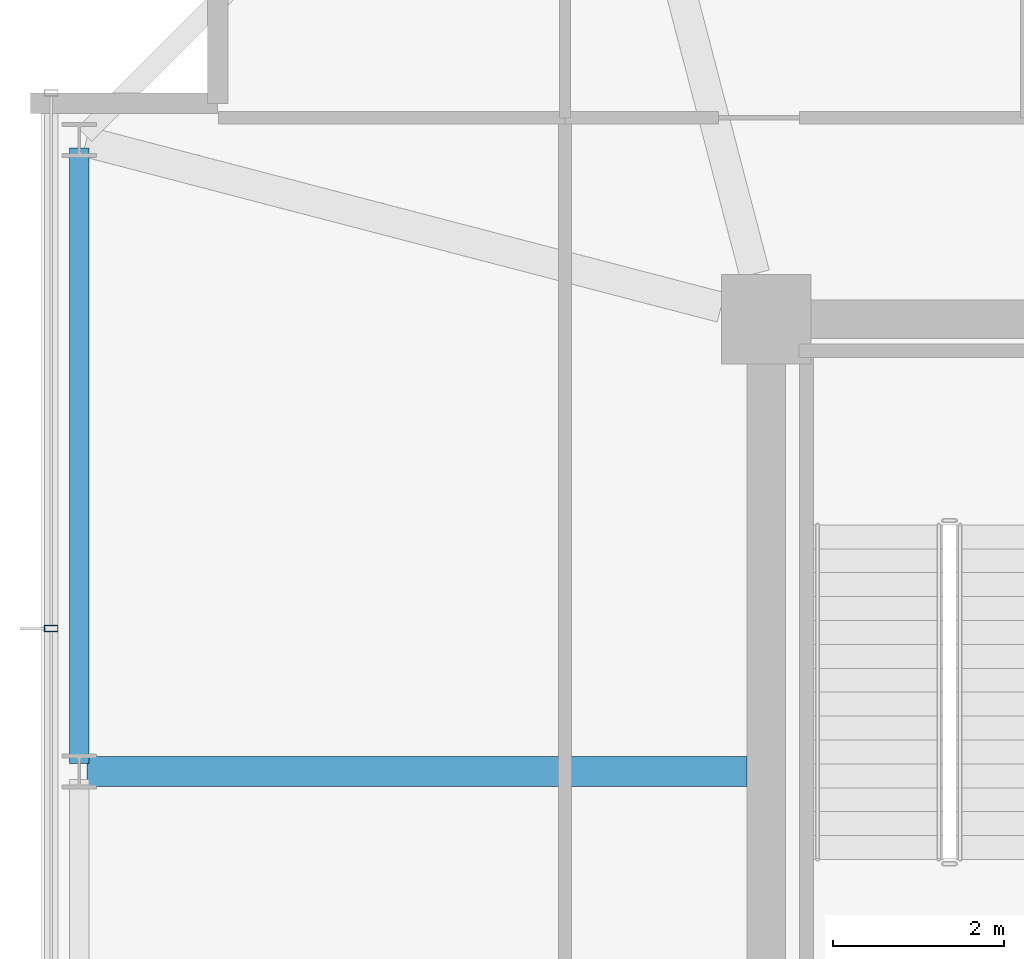
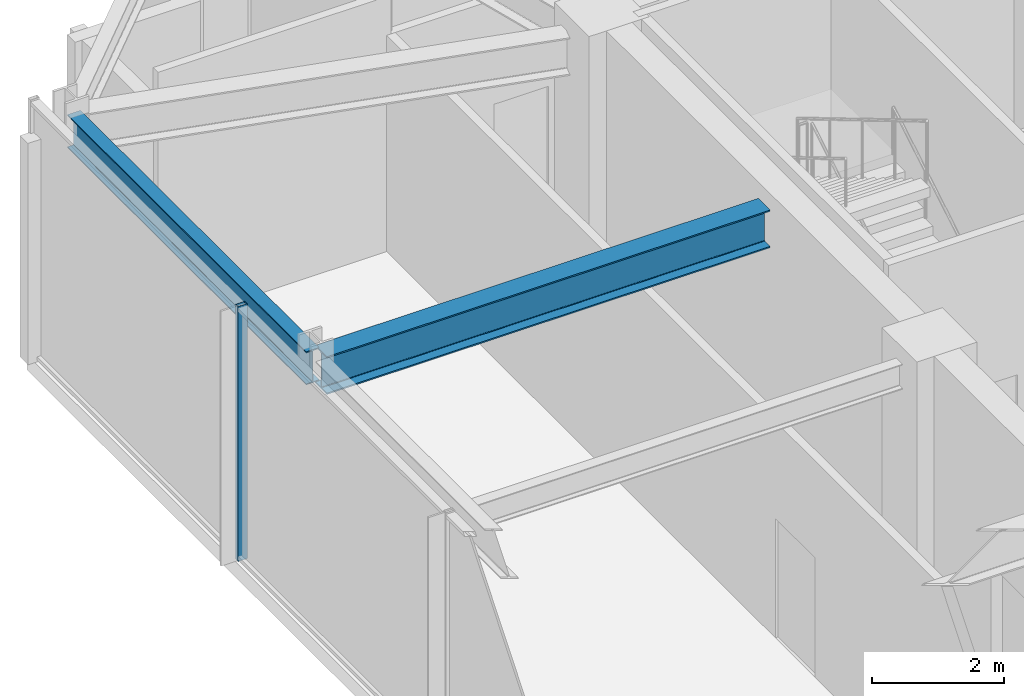
# One storey, part 9 of 31: 2 beams, 1 member, 1 element without a shape of its own.
"""IFC4 building model written with IfcOpenShell, lengths in metres."""

from ifc_helpers import new_model, si_unit, direction, frame, origin, origin_2d, place, context, subcontext, project, spatial, hollow_rectangle, i_section, extrude, material, material_profile, profile_set, type_object, element, aggregate, save


model = new_model("IFC4")

# Units and contexts
model_context = context("Model", 3, precision=1e-05, world=origin(), true_north=direction((0.0, 1.0)))
body_context = subcontext(model_context, "Body", "Model", "MODEL_VIEW")
ifc_project = project(units=[si_unit("LENGTHUNIT", "METRE"), si_unit("AREAUNIT", "SQUARE_METRE"), si_unit("VOLUMEUNIT", "CUBIC_METRE"), si_unit("PLANEANGLEUNIT", "RADIAN"), si_unit("MASSUNIT", "GRAM", prefix="KILO")], contexts=[model_context])

# Site, building, storey
site_placement = place(None, origin())
site = spatial("IfcSite", under=ifc_project, at=site_placement, CompositionType="ELEMENT")
building_placement = place(site_placement, origin())
building = spatial("IfcBuilding", under=site, at=building_placement, Name="Kolvaren Belvedere", CompositionType="ELEMENT")
storey_placement = place(building_placement, frame((0.0, 0.0, 267.39990234375)))
storey = spatial("IfcBuildingStorey", under=building, at=storey_placement, Name="L77", CompositionType="ELEMENT", Elevation=267.39990234375)

# Beams
ifc_material_1 = material(Name="Structural steel ASTM A992 Grade 50", Category="steel")
ifc_material_profile_1 = material_profile(ifc_material_1, i_section(OverallWidth=0.35498046875, OverallDepth=0.696044921875, WebThickness=0.015380859375, FlangeThickness=0.02490234375, FilletRadius=0.02197265625, at=origin_2d()), Name="W27X146")
ifc_profile_set_1 = profile_set([ifc_material_profile_1], Name="Structural steel ASTM A992 Grade 50")
beam_type_1 = type_object("IfcBeamType", Name="BM-GIRD-W27X146", PredefinedType="BEAM", material=ifc_profile_set_1)
beam_1_placement = place(storey_placement, frame((-10.125, 4.60009765625, 4.35205078125), z_axis=(-1.0, 0.0, 0.0), x_axis=(0.0, -1.0, 0.0)))
element("IfcBeam", 1, at=beam_1_placement, inside=storey, type_object=beam_type_1, Name="L77 West Radial Girder P", PredefinedType="BEAM", context=body_context, shape_type="SweptSolid", body=[
    extrude(i_section(OverallWidth=0.35498046875, OverallDepth=0.696044921875, WebThickness=0.015380859375, FlangeThickness=0.02490234375, FilletRadius=0.02197265625, at=origin_2d()), origin(), (0.0, 0.0, 1.0), 7.7333984375),
])
ifc_material_2 = material(Name="Structural steel ASTM A992 Grade 50", Category="steel")
ifc_material_profile_2 = material_profile(ifc_material_2, i_section(OverallWidth=0.22900390625, OverallDepth=0.612060546875, WebThickness=0.011962890625, FlangeThickness=0.01953125, FilletRadius=0.01806640625, at=origin_2d()), Name="W24X84")
ifc_profile_set_2 = profile_set([ifc_material_profile_2], Name="Structural steel ASTM A992 Grade 50")
beam_type_2 = type_object("IfcBeamType", Name="BM-SPAN-W24X84", PredefinedType="SPANDREL", material=ifc_profile_set_2)
beam_2_placement = place(storey_placement, frame((-17.949951171875, 11.908447265625, 4.39404296875), z_axis=(0.0, -1.0, 0.0), x_axis=(1.0, 0.0, 0.0)))
element("IfcBeam", 2, at=beam_2_placement, inside=storey, type_object=beam_type_2, Name="L77 Perimeter Spandrel W4-W3", PredefinedType="SPANDREL", context=body_context, shape_type="SweptSolid", body=[
    extrude(i_section(OverallWidth=0.22900390625, OverallDepth=0.612060546875, WebThickness=0.011962890625, FlangeThickness=0.01953125, FilletRadius=0.01806640625, at=origin_2d()), origin(), (0.0, 0.0, 1.0), 7.216796875),
])

# Curtain wall, member
ifc_material_3 = material(Name="Anodised pale-metal aluminium AA 6063-T6", Category="aluminium")
curtain_wall_type = type_object("IfcCurtainWallType", Name="CW-CRN-OBS", PredefinedType="NOTDEFINED", material=ifc_material_3)
curtain_wall_placement = place(storey_placement, origin())
curtain_wall = element("IfcCurtainWall", 3, at=curtain_wall_placement, inside=storey, type_object=curtain_wall_type, Name="L77 Unitised Curtain Wall FCW-L77-W", PredefinedType="NOTDEFINED")
ifc_material_4 = material(Name="Anodised pale-metal aluminium AA 6063-T6", Category="aluminium")
ifc_material_profile_3 = material_profile(ifc_material_4, hollow_rectangle(XDim=0.074951171875, YDim=0.159912109375, WallThickness=0.00439453125, at=origin_2d()), Name="ALU-MUL-160X75")
ifc_profile_set_3 = profile_set([ifc_material_profile_3], Name="Anodised pale-metal aluminium AA 6063-T6")
member_type = type_object("IfcMemberType", Name="CW-MUL-160", PredefinedType="MULLION", material=ifc_profile_set_3)
member_placement = place(storey_placement, frame((-18.280029296875, 6.27490234375, 0.0), z_axis=(0.0, 0.0, 1.0), x_axis=(0.0, 1.0, 0.0)))
member = element("IfcMember", 4, at=member_placement, type_object=member_type, Name="FCW-L77-W Unitised Mullion 4", PredefinedType="MULLION", context=body_context, shape_type="SweptSolid", body=[
    extrude(hollow_rectangle(XDim=0.074951171875, YDim=0.159912109375, WallThickness=0.00439453125, at=origin_2d()), origin(), (0.0, 0.0, 1.0), 4.7001953125),
])
aggregate(curtain_wall, [member])

save(model, "model.ifc")
